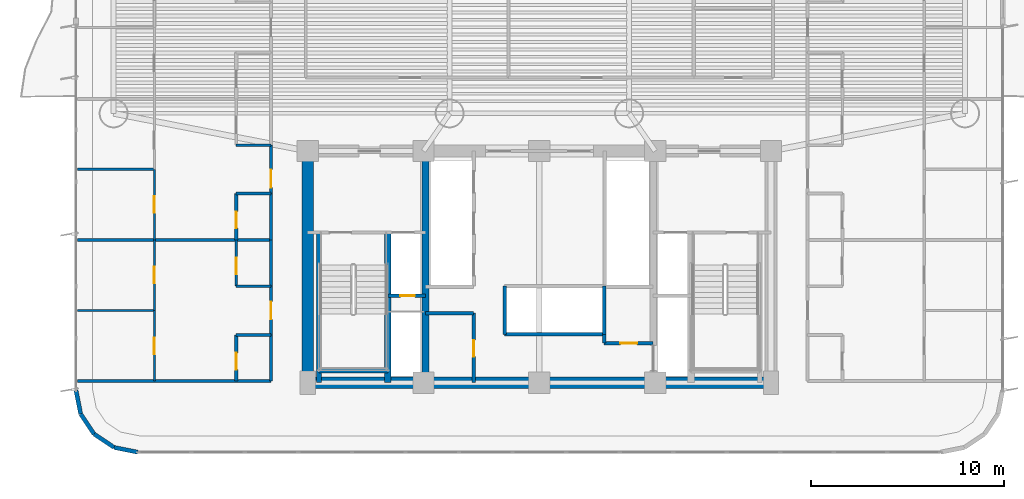
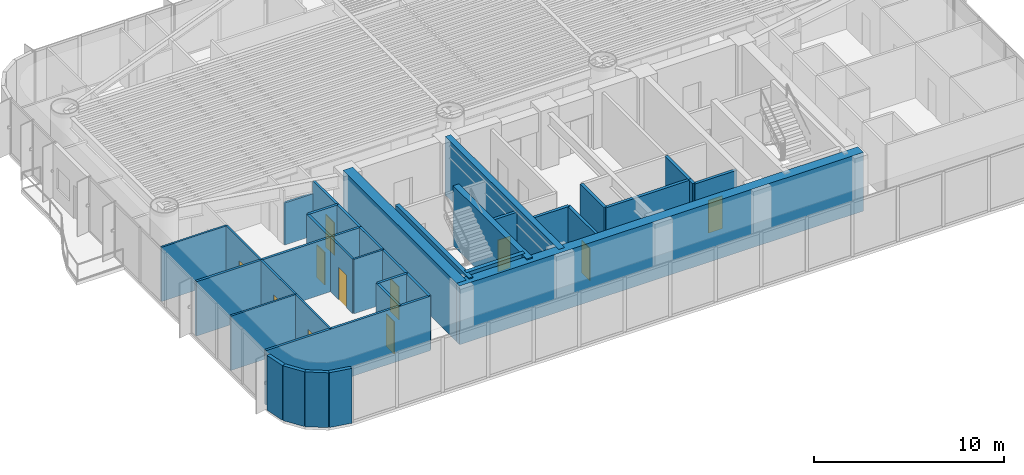
# One storey, part 10 of 19: 37 walls, 11 doors, 11 openings.
"""IFC4 building model written with IfcOpenShell, lengths in metres."""

from ifc_helpers import new_model, si_unit, direction, frame, frame_2d, origin, origin_2d, place, context, subcontext, project, spatial, rectangle, extrude, source, transform, mapped, material, layer, layer_set, type_object, element, fill, save


model = new_model("IFC4")

# Units and contexts
model_context = context("Model", 3, precision=1e-05, world=origin(), true_north=direction((0.0, 1.0)))
body_context = subcontext(model_context, "Body", "Model", "MODEL_VIEW")
ifc_project = project(units=[si_unit("LENGTHUNIT", "METRE"), si_unit("AREAUNIT", "SQUARE_METRE"), si_unit("VOLUMEUNIT", "CUBIC_METRE"), si_unit("PLANEANGLEUNIT", "RADIAN"), si_unit("MASSUNIT", "GRAM", prefix="KILO")], contexts=[model_context])

# Site, building, storey
site_placement = place(None, origin())
site = spatial("IfcSite", under=ifc_project, at=site_placement, CompositionType="ELEMENT")
building_placement = place(site_placement, origin())
building = spatial("IfcBuilding", under=site, at=building_placement, Name="Brelvock Crest Care Tower", CompositionType="ELEMENT")
storey_placement = place(building_placement, frame((0.0, 0.0, 34.56005859375)))
storey = spatial("IfcBuildingStorey", under=building, at=storey_placement, Name="L08", CompositionType="ELEMENT", Elevation=34.56005859375)

# Walls
ifc_material_1 = material(Name="Concrete S80 (80 MPa)", Category="concrete")
ifc_layer_1 = layer(ifc_material_1, 0.60009765625, Name="WL-CS1")
ifc_layer_set_1 = layer_set([ifc_layer_1], Name="Concrete S80 (80 MPa)")
wall_type_1 = type_object("IfcWallType", Name="WL-CS1", PredefinedType="SHEAR", material=ifc_layer_set_1)
wall_1_placement = place(storey_placement, frame((48.300048828125, 6.0, 0.0), z_axis=(0.0, 0.0, 1.0), x_axis=(-1.0, 0.0, 0.0)))
element("IfcWall", 1, at=wall_1_placement, inside=storey, type_object=wall_type_1, Name="L08 Core South Shear Wall", PredefinedType="SHEAR", context=body_context, shape_type="SweptSolid", body=[
    extrude(rectangle(XDim=24.60009765625, YDim=0.60009765625, at=frame_2d((12.300048828125, 0.0))), origin(), (0.0, 0.0, 1.0), 3.780029296875),
])
wall_2_placement = place(storey_placement, frame((24.0, 6.0, 0.0), z_axis=(0.0, 0.0, 1.0), x_axis=(0.0, 1.0, 0.0)))
element("IfcWall", 2, at=wall_2_placement, inside=storey, type_object=wall_type_1, Name="L08 Core West Shear Wall", PredefinedType="SHEAR", context=body_context, shape_type="SweptSolid", body=[
    extrude(rectangle(XDim=12.0, YDim=0.60009765625, at=frame_2d((6.0, 0.0))), origin(), (0.0, 0.0, 1.0), 3.780029296875),
])
ifc_layer_2 = layer(ifc_material_1, 0.35009765625, Name="WL-CS5")
ifc_layer_set_2 = layer_set([ifc_layer_2], Name="Concrete S80 (80 MPa)")
wall_type_2 = type_object("IfcWallType", Name="WL-CS5", PredefinedType="SHEAR", material=ifc_layer_set_2)
wall_3_placement = place(storey_placement, frame((30.10009765625, 6.0, 0.0), z_axis=(0.0, 0.0, 1.0), x_axis=(0.0, 1.0, 0.0)))
element("IfcWall", 3, at=wall_3_placement, inside=storey, type_object=wall_type_2, Name="L08 Core Internal Web Wall West", PredefinedType="SHEAR", context=body_context, shape_type="SweptSolid", body=[
    extrude(rectangle(XDim=12.0, YDim=0.35009765625, at=frame_2d((6.0, 0.0))), origin(), (0.0, 0.0, 1.0), 3.780029296875),
])
wall_4_placement = place(storey_placement, frame((28.14990234375, 6.0, 0.0), z_axis=(0.0, 0.0, 1.0), x_axis=(0.0, 1.0, 0.0)))
element("IfcWall", 4, at=wall_4_placement, inside=storey, type_object=wall_type_2, Name="L08 Core Stair ST-1 East Shear Wall", PredefinedType="SHEAR", context=body_context, shape_type="SweptSolid", body=[
    extrude(rectangle(XDim=7.780029296875, YDim=0.35009765625, at=frame_2d((3.89013671875, 0.0))), origin(), (0.0, 0.0, 1.0), 3.849853515625),
])
ifc_layer_3 = layer(ifc_material_1, 0.25, Name="WL-CS6")
ifc_layer_set_3 = layer_set([ifc_layer_3], Name="Concrete S80 (80 MPa)")
wall_type_3 = type_object("IfcWallType", Name="WL-CS6", PredefinedType="SHEAR", material=ifc_layer_set_3)
wall_5_placement = place(storey_placement, frame((24.580078125, 6.0, 0.0), z_axis=(0.0, 0.0, 1.0), x_axis=(0.0, 1.0, 0.0)))
element("IfcWall", 5, at=wall_5_placement, inside=storey, type_object=wall_type_3, Name="L08 Core Stair ST-1 West Shear Wall", PredefinedType="SHEAR", context=body_context, shape_type="SweptSolid", body=[
    extrude(rectangle(XDim=7.780029296875, YDim=0.25, at=frame_2d((3.89013671875, 0.0))), origin(), (0.0, 0.0, 1.0), 3.849853515625),
])
wall_6_placement = place(storey_placement, frame((24.580078125, 6.6201171875, 0.0), z_axis=(0.0, 0.0, 1.0), x_axis=(1.0, 0.0, 0.0)))
element("IfcWall", 6, at=wall_6_placement, inside=storey, type_object=wall_type_3, Name="L08 Core Stair ST-1 South Shear Wall", PredefinedType="SHEAR", context=body_context, shape_type="SweptSolid", body=[
    extrude(rectangle(XDim=3.56982421875, YDim=0.25, at=frame_2d((1.784912109375, 0.0))), origin(), (0.0, 0.0, 1.0), 3.849853515625),
])
ifc_material_2 = material(Name="Precast concrete N40 (40 MPa)", Category="concrete")
ifc_layer_4 = layer(ifc_material_2, 0.215087890625, Name="WL-EX2")
ifc_layer_set_4 = layer_set([ifc_layer_4], Name="Precast concrete N40 (40 MPa)")
wall_type_4 = type_object("IfcWallType", Name="WL-EX2", PredefinedType="SOLIDWALL", material=ifc_layer_set_4)
for number, where, z_axis, x_axis, name in (
    (7, (15.199951171875, 2.39990234375, 0.0), (0.0, 0.0, 1.0), (-0.980775717779, 0.195138390419, 0.0), "L08 Rounded Corner Wall 09"),
    (8, (13.975341796875, 2.6435546875, 0.0), (0.0, 0.0, 1.0), (-0.831387912822, 0.555692485475, 0.0), "L08 Rounded Corner Wall 10"),
    (9, (12.937255859375, 3.33740234375, 0.0), (0.0, 0.0, 1.0), (-0.555557312883, 0.831478245117, 0.0), "L08 Rounded Corner Wall 11"),
    (10, (12.24365234375, 4.37548828125, 0.0), (0.0, 0.0, 1.0), (-0.195138390419, 0.980775717779, 0.0), "L08 Rounded Corner Wall 12"),
):
    element("IfcWall", number, at=place(storey_placement, frame(where, z_axis=z_axis, x_axis=x_axis)), inside=storey, type_object=wall_type_4, Name=name, PredefinedType="SOLIDWALL", context=body_context, shape_type="SweptSolid", body=[
        extrude(rectangle(XDim=1.24853515625, YDim=0.215087890625, at=frame_2d((0.624267578125, 0.0))), origin(), (0.0, 0.0, 1.0), 3.530029296875),
    ])
ifc_material_3 = material(Name="Masonry Blockwork Acoustic Partition", Category="masonry")
ifc_layer_5 = layer(ifc_material_3, 0.14990234375, Name="WL-INT1")
ifc_layer_set_5 = layer_set([ifc_layer_5], Name="Masonry Blockwork Acoustic Partition")
wall_type_5 = type_object("IfcWallType", Name="WL-INT1", PredefinedType="PARTITIONING", material=ifc_layer_set_5)
for number, where, z_axis, x_axis, name in (
    (11, (12.080078125, 6.080078125, 0.0), (0.0, 0.0, 1.0), (1.0, 0.0, 0.0), "L08 Interior Wall WL-BX-L08-FL-WW1-S"),
    (12, (12.080078125, 13.39990234375, 0.0), (0.0, 0.0, 1.0), (1.0, 0.0, 0.0), "L08 Interior Wall WL-BX-L08-FL-WW1-N"),
):
    element("IfcWall", number, at=place(storey_placement, frame(where, z_axis=z_axis, x_axis=x_axis)), inside=storey, type_object=wall_type_5, Name=name, PredefinedType="PARTITIONING", context=body_context, shape_type="SweptSolid", body=[
        extrude(rectangle(XDim=10.02001953125, YDim=0.14990234375, at=frame_2d((5.010009765625, 0.0))), origin(), (0.0, 0.0, 1.0), 3.5),
    ])

# Wall, opening, door
wall_7_placement = place(storey_placement, frame((22.10009765625, 8.47998046875, 0.0), z_axis=(0.0, 0.0, 1.0), x_axis=(0.0, 1.0, 0.0)))
wall_7 = element("IfcWall", 13, at=wall_7_placement, inside=storey, type_object=wall_type_5, Name="L08 Interior Wall WL-UENT-L08-WW1", PredefinedType="PARTITIONING", context=body_context, shape_type="SweptSolid", body=[
    extrude(rectangle(XDim=2.52001953125, YDim=0.14990234375, at=frame_2d((1.260009765625, 0.0))), origin(), (0.0, 0.0, 1.0), 3.5),
])
opening_1_placement = place(wall_7_placement, frame((0.800048828125, 0.0, 0.0)))
opening_1 = element("IfcOpeningElement", 14, at=opening_1_placement, cuts=wall_7, Name="Opening AD-1", PredefinedType="OPENING", context=body_context, shape_type="SweptSolid", body=[
    extrude(rectangle(XDim=0.919921875, YDim=2.10009765625, at=origin_2d()), frame((0.4599609375, 0.0849609375, 1.050048828125), z_axis=(0.0, -1.0, 0.0), x_axis=(1.0, 0.0, 0.0)), (0.0, 0.0, 1.0), 0.169921875),
])
ifc_material_4 = material(Name="Engineered Hardwood Timber", Category="wood")
door_type_1 = type_object("IfcDoorType", Name="DR-APT1", OperationType="NOTDEFINED", PredefinedType="DOOR", material=ifc_material_4)
shared_shape_1 = source(origin(), body_context, "Body", "SweptSolid", [
    extrude(rectangle(XDim=0.919921875, YDim=2.10009765625, at=origin_2d()), frame((0.4599609375, 0.02490234375, 1.050048828125), z_axis=(0.0, -1.0, 0.0), x_axis=(1.0, 0.0, 0.0)), (0.0, 0.0, 1.0), 0.050048828125),
])
door_1_placement = place(opening_1_placement, origin())
door_1 = element("IfcDoor", 15, at=door_1_placement, inside=storey, type_object=door_type_1, Name="L08 Apartment Entrance WW1", OperationType="SINGLE_SWING_LEFT", OverallHeight=2.10009765625, OverallWidth=0.919921875, PredefinedType="DOOR", context=body_context, shape_type="MappedRepresentation", body=[
    mapped(shared_shape_1, transform((0.0, 0.0, 0.0), x_axis=(1.0, 0.0, 0.0), y_axis=(0.0, 1.0, 0.0), z_axis=(0.0, 0.0, 1.0), scale=1.0)),
])
fill(opening_1, door_1)

# Wall
wall_8_placement = place(storey_placement, frame((22.10009765625, 11.0, 0.0), z_axis=(0.0, 0.0, 1.0), x_axis=(0.0, 1.0, 0.0)))
element("IfcWall", 16, at=wall_8_placement, inside=storey, type_object=wall_type_5, Name="L08 Interior Wall WL-UCK-L08-WW1", PredefinedType="PARTITIONING", context=body_context, shape_type="SweptSolid", body=[
    extrude(rectangle(XDim=2.39990234375, YDim=0.14990234375, at=frame_2d((1.199951171875, 0.0))), origin(), (0.0, 0.0, 1.0), 3.5),
])

# Wall, opening, door
wall_9_placement = place(storey_placement, frame((22.10009765625, 15.800048828125, 0.0), z_axis=(0.0, 0.0, 1.0), x_axis=(0.0, 1.0, 0.0)))
wall_9 = element("IfcWall", 17, at=wall_9_placement, inside=storey, type_object=wall_type_5, Name="L08 Interior Wall WL-UENT-L08-WW2", PredefinedType="PARTITIONING", context=body_context, shape_type="SweptSolid", body=[
    extrude(rectangle(XDim=2.5, YDim=0.14990234375, at=frame_2d((1.25, 0.0))), origin(), (0.0, 0.0, 1.0), 3.5),
])
opening_2_placement = place(wall_9_placement, frame((0.31005859375, 0.0, 0.0)))
opening_2 = element("IfcOpeningElement", 18, at=opening_2_placement, cuts=wall_9, Name="Opening AD-1", PredefinedType="OPENING", context=body_context, shape_type="SweptSolid", body=[
    extrude(rectangle(XDim=0.919921875, YDim=2.10009765625, at=origin_2d()), frame((0.4599609375, 0.0849609375, 1.050048828125), z_axis=(0.0, -1.0, 0.0), x_axis=(1.0, 0.0, 0.0)), (0.0, 0.0, 1.0), 0.169921875),
])
door_2_placement = place(opening_2_placement, origin())
door_2 = element("IfcDoor", 19, at=door_2_placement, inside=storey, type_object=door_type_1, Name="L08 Apartment Entrance WW2", OperationType="SINGLE_SWING_LEFT", OverallHeight=2.10009765625, OverallWidth=0.919921875, PredefinedType="DOOR", context=body_context, shape_type="MappedRepresentation", body=[
    mapped(shared_shape_1, transform((0.0, 0.0, 0.0), x_axis=(1.0, 0.0, 0.0), y_axis=(0.0, 1.0, 0.0), z_axis=(0.0, 0.0, 1.0), scale=1.0)),
])
fill(opening_2, door_2)

# Walls
ifc_material_5 = material(Name="Gypsum Plasterboard Partition", Category="gypsum")
ifc_layer_6 = layer(ifc_material_5, 0.1201171875, Name="WL-INT2")
ifc_layer_set_6 = layer_set([ifc_layer_6], Name="Gypsum Plasterboard Partition")
wall_type_6 = type_object("IfcWallType", Name="WL-INT2", PredefinedType="PARTITIONING", material=ifc_layer_set_6)
wall_10_placement = place(storey_placement, frame((12.080078125, 9.739990234375, 0.0), z_axis=(0.0, 0.0, 1.0), x_axis=(1.0, 0.0, 0.0)))
element("IfcWall", 20, at=wall_10_placement, inside=storey, type_object=wall_type_6, Name="L08 Interior Wall WL-UBSP-L08-WW1", PredefinedType="PARTITIONING", context=body_context, shape_type="SweptSolid", body=[
    extrude(rectangle(XDim=3.98388671875, YDim=0.1201171875, at=frame_2d((1.991943359375, 0.0))), origin(), (0.0, 0.0, 1.0), 3.5),
])
wall_11_placement = place(storey_placement, frame((20.300048828125, 11.0, 0.0), z_axis=(0.0, 0.0, 1.0), x_axis=(1.0, 0.0, 0.0)))
element("IfcWall", 21, at=wall_11_placement, inside=storey, type_object=wall_type_6, Name="L08 Interior Wall WL-UKIT2-L08-WW1", PredefinedType="PARTITIONING", context=body_context, shape_type="SweptSolid", body=[
    extrude(rectangle(XDim=1.800048828125, YDim=0.1201171875, at=frame_2d((0.89990234375, 0.0))), origin(), (0.0, 0.0, 1.0), 3.5),
])
wall_12_placement = place(storey_placement, frame((12.080078125, 17.050048828125, 0.0), z_axis=(0.0, 0.0, 1.0), x_axis=(1.0, 0.0, 0.0)))
element("IfcWall", 22, at=wall_12_placement, inside=storey, type_object=wall_type_6, Name="L08 Interior Wall WL-UBSP-L08-WW2", PredefinedType="PARTITIONING", context=body_context, shape_type="SweptSolid", body=[
    extrude(rectangle(XDim=3.98388671875, YDim=0.1201171875, at=frame_2d((1.991943359375, 0.0))), origin(), (0.0, 0.0, 1.0), 3.5),
])
wall_13_placement = place(storey_placement, frame((20.300048828125, 18.300048828125, 0.0), z_axis=(0.0, 0.0, 1.0), x_axis=(1.0, 0.0, 0.0)))
element("IfcWall", 23, at=wall_13_placement, inside=storey, type_object=wall_type_6, Name="L08 Interior Wall WL-UKIT2-L08-WW2", PredefinedType="PARTITIONING", context=body_context, shape_type="SweptSolid", body=[
    extrude(rectangle(XDim=1.800048828125, YDim=0.1201171875, at=frame_2d((0.89990234375, 0.0))), origin(), (0.0, 0.0, 1.0), 2.71484375),
])

# Wall, opening, door
wall_14_placement = place(storey_placement, frame((16.06396484375, 6.080078125, 0.0), z_axis=(0.0, 0.0, 1.0), x_axis=(0.0, 1.0, 0.0)))
wall_14 = element("IfcWall", 24, at=wall_14_placement, inside=storey, type_object=wall_type_6, Name="L08 Interior Wall WL-UBD1-L08-WW1", PredefinedType="PARTITIONING", context=body_context, shape_type="SweptSolid", body=[
    extrude(rectangle(XDim=3.659912109375, YDim=0.1201171875, at=frame_2d((1.830078125, 0.0))), origin(), (0.0, 0.0, 1.0), 3.5),
])
opening_3_placement = place(wall_14_placement, frame((1.39990234375, 0.0, 0.0)))
opening_3 = element("IfcOpeningElement", 25, at=opening_3_placement, cuts=wall_14, Name="Opening ID-1", PredefinedType="OPENING", context=body_context, shape_type="SweptSolid", body=[
    extrude(rectangle(XDim=0.860107421875, YDim=2.10009765625, at=origin_2d()), frame((0.43017578125, 0.070068359375, 1.050048828125), z_axis=(0.0, -1.0, 0.0), x_axis=(1.0, 0.0, 0.0)), (0.0, 0.0, 1.0), 0.14013671875),
])
door_type_2 = type_object("IfcDoorType", Name="DR-INT1", OperationType="NOTDEFINED", PredefinedType="DOOR", material=ifc_material_4)
shared_shape_2 = source(origin(), body_context, "Body", "SweptSolid", [
    extrude(rectangle(XDim=0.860107421875, YDim=2.10009765625, at=origin_2d()), frame((0.43017578125, 0.02490234375, 1.050048828125), z_axis=(0.0, -1.0, 0.0), x_axis=(1.0, 0.0, 0.0)), (0.0, 0.0, 1.0), 0.050048828125),
])
door_3_placement = place(opening_3_placement, origin())
door_3 = element("IfcDoor", 26, at=door_3_placement, inside=storey, type_object=door_type_2, Name="L08 Primary Bedroom Door WW1", OperationType="SINGLE_SWING_RIGHT", OverallHeight=2.10009765625, OverallWidth=0.860107421875, PredefinedType="DOOR", context=body_context, shape_type="MappedRepresentation", body=[
    mapped(shared_shape_2, transform((0.0, 0.0, 0.0), x_axis=(1.0, 0.0, 0.0), y_axis=(0.0, 1.0, 0.0), z_axis=(0.0, 0.0, 1.0), scale=1.0)),
])
fill(opening_3, door_3)

wall_15_placement = place(storey_placement, frame((16.06396484375, 9.739990234375, 0.0), z_axis=(0.0, 0.0, 1.0), x_axis=(0.0, 1.0, 0.0)))
wall_15 = element("IfcWall", 27, at=wall_15_placement, inside=storey, type_object=wall_type_6, Name="L08 Interior Wall WL-UBD2-L08-WW1", PredefinedType="PARTITIONING", context=body_context, shape_type="SweptSolid", body=[
    extrude(rectangle(XDim=3.659912109375, YDim=0.1201171875, at=frame_2d((1.830078125, 0.0))), origin(), (0.0, 0.0, 1.0), 3.5),
])
opening_4_placement = place(wall_15_placement, frame((1.39990234375, 0.0, 0.0)))
opening_4 = element("IfcOpeningElement", 28, at=opening_4_placement, cuts=wall_15, Name="Opening ID-1", PredefinedType="OPENING", context=body_context, shape_type="SweptSolid", body=[
    extrude(rectangle(XDim=0.860107421875, YDim=2.10009765625, at=origin_2d()), frame((0.43017578125, 0.070068359375, 1.050048828125), z_axis=(0.0, -1.0, 0.0), x_axis=(1.0, 0.0, 0.0)), (0.0, 0.0, 1.0), 0.14013671875),
])
door_4_placement = place(opening_4_placement, origin())
door_4 = element("IfcDoor", 29, at=door_4_placement, inside=storey, type_object=door_type_2, Name="L08 Second Room Door WW1", OperationType="SINGLE_SWING_LEFT", OverallHeight=2.10009765625, OverallWidth=0.860107421875, PredefinedType="DOOR", context=body_context, shape_type="MappedRepresentation", body=[
    mapped(shared_shape_2, transform((0.0, 0.0, 0.0), x_axis=(1.0, 0.0, 0.0), y_axis=(0.0, 1.0, 0.0), z_axis=(0.0, 0.0, 1.0), scale=1.0)),
])
fill(opening_4, door_4)

wall_16_placement = place(storey_placement, frame((16.06396484375, 13.39990234375, 0.0), z_axis=(0.0, 0.0, 1.0), x_axis=(0.0, 1.0, 0.0)))
wall_16 = element("IfcWall", 30, at=wall_16_placement, inside=storey, type_object=wall_type_6, Name="L08 Interior Wall WL-UBD1-L08-WW2", PredefinedType="PARTITIONING", context=body_context, shape_type="SweptSolid", body=[
    extrude(rectangle(XDim=3.650146484375, YDim=0.1201171875, at=frame_2d((1.8251953125, 0.0))), origin(), (0.0, 0.0, 1.0), 3.5),
])
opening_5_placement = place(wall_16_placement, frame((1.39501953125, 0.0, 0.0)))
opening_5 = element("IfcOpeningElement", 31, at=opening_5_placement, cuts=wall_16, Name="Opening ID-1", PredefinedType="OPENING", context=body_context, shape_type="SweptSolid", body=[
    extrude(rectangle(XDim=0.860107421875, YDim=2.10009765625, at=origin_2d()), frame((0.43017578125, 0.070068359375, 1.050048828125), z_axis=(0.0, -1.0, 0.0), x_axis=(1.0, 0.0, 0.0)), (0.0, 0.0, 1.0), 0.14013671875),
])
door_5_placement = place(opening_5_placement, origin())
door_5 = element("IfcDoor", 32, at=door_5_placement, inside=storey, type_object=door_type_2, Name="L08 Primary Bedroom Door WW2", OperationType="SINGLE_SWING_RIGHT", OverallHeight=2.10009765625, OverallWidth=0.860107421875, PredefinedType="DOOR", context=body_context, shape_type="MappedRepresentation", body=[
    mapped(shared_shape_2, transform((0.0, 0.0, 0.0), x_axis=(1.0, 0.0, 0.0), y_axis=(0.0, 1.0, 0.0), z_axis=(0.0, 0.0, 1.0), scale=1.0)),
])
fill(opening_5, door_5)

wall_17_placement = place(storey_placement, frame((20.300048828125, 11.0, 0.0), z_axis=(0.0, 0.0, 1.0), x_axis=(0.0, 1.0, 0.0)))
wall_17 = element("IfcWall", 33, at=wall_17_placement, inside=storey, type_object=wall_type_6, Name="L08 Interior Wall WL-UKIT1-L08-WW1", PredefinedType="PARTITIONING", context=body_context, shape_type="SweptSolid", body=[
    extrude(rectangle(XDim=2.39990234375, YDim=0.1201171875, at=frame_2d((1.199951171875, 0.0))), origin(), (0.0, 0.0, 1.0), 3.5),
])
opening_6_placement = place(wall_17_placement, frame((0.6201171875, 0.0, 0.0)))
opening_6 = element("IfcOpeningElement", 34, at=opening_6_placement, cuts=wall_17, Name="Opening ID-1", PredefinedType="OPENING", context=body_context, shape_type="SweptSolid", body=[
    extrude(rectangle(XDim=0.860107421875, YDim=2.10009765625, at=origin_2d()), frame((0.43017578125, 0.070068359375, 1.050048828125), z_axis=(0.0, -1.0, 0.0), x_axis=(1.0, 0.0, 0.0)), (0.0, 0.0, 1.0), 0.14013671875),
])
door_6_placement = place(opening_6_placement, origin())
door_6 = element("IfcDoor", 35, at=door_6_placement, inside=storey, type_object=door_type_2, Name="L08 Kitchen Door WW1", OperationType="SINGLE_SWING_LEFT", OverallHeight=2.10009765625, OverallWidth=0.860107421875, PredefinedType="DOOR", context=body_context, shape_type="MappedRepresentation", body=[
    mapped(shared_shape_2, transform((0.0, 0.0, 0.0), x_axis=(1.0, 0.0, 0.0), y_axis=(0.0, 1.0, 0.0), z_axis=(0.0, 0.0, 1.0), scale=1.0)),
])
fill(opening_6, door_6)

# Walls
ifc_layer_7 = layer(ifc_material_5, 0.159912109375, Name="WL-PLM1")
ifc_layer_set_7 = layer_set([ifc_layer_7], Name="Gypsum Plasterboard Partition")
wall_type_7 = type_object("IfcWallType", Name="WL-PLM1", PredefinedType="PLUMBINGWALL", material=ifc_layer_set_7)
for number, where, z_axis, x_axis, name in (
    (36, (20.300048828125, 8.47998046875, 0.0), (0.0, 0.0, 1.0), (1.0, 0.0, 0.0), "L08 Interior Wall WL-UBTH2-L08-WW1"),
    (37, (20.300048828125, 15.800048828125, 0.0), (0.0, 0.0, 1.0), (1.0, 0.0, 0.0), "L08 Interior Wall WL-UBTH2-L08-WW2"),
):
    element("IfcWall", number, at=place(storey_placement, frame(where, z_axis=z_axis, x_axis=x_axis)), inside=storey, type_object=wall_type_7, Name=name, PredefinedType="PLUMBINGWALL", context=body_context, shape_type="SweptSolid", body=[
        extrude(rectangle(XDim=1.800048828125, YDim=0.159912109375, at=frame_2d((0.89990234375, 0.0))), origin(), (0.0, 0.0, 1.0), 3.5),
    ])

# Wall, opening, door
wall_18_placement = place(storey_placement, frame((20.300048828125, 6.080078125, 0.0), z_axis=(0.0, 0.0, 1.0), x_axis=(0.0, 1.0, 0.0)))
wall_18 = element("IfcWall", 38, at=wall_18_placement, inside=storey, type_object=wall_type_7, Name="L08 Interior Wall WL-UBTH1-L08-WW1", PredefinedType="PLUMBINGWALL", context=body_context, shape_type="SweptSolid", body=[
    extrude(rectangle(XDim=2.39990234375, YDim=0.159912109375, at=frame_2d((1.199951171875, 0.0))), origin(), (0.0, 0.0, 1.0), 3.5),
])
opening_7_placement = place(wall_18_placement, frame((0.60009765625, 0.0, 0.0)))
opening_7 = element("IfcOpeningElement", 39, at=opening_7_placement, cuts=wall_18, Name="Opening WD-1", PredefinedType="OPENING", context=body_context, shape_type="SweptSolid", body=[
    extrude(rectangle(XDim=0.860107421875, YDim=2.10009765625, at=origin_2d()), frame((0.43017578125, 0.08984375, 1.050048828125), z_axis=(0.0, -1.0, 0.0), x_axis=(1.0, 0.0, 0.0)), (0.0, 0.0, 1.0), 0.179931640625),
])
door_type_3 = type_object("IfcDoorType", Name="DR-WC1", OperationType="NOTDEFINED", PredefinedType="DOOR", material=ifc_material_4)
shared_shape_3 = source(origin(), body_context, "Body", "SweptSolid", [
    extrude(rectangle(XDim=0.860107421875, YDim=2.10009765625, at=origin_2d()), frame((0.43017578125, 0.02490234375, 1.050048828125), z_axis=(0.0, -1.0, 0.0), x_axis=(1.0, 0.0, 0.0)), (0.0, 0.0, 1.0), 0.050048828125),
])
door_7_placement = place(opening_7_placement, origin())
door_7 = element("IfcDoor", 40, at=door_7_placement, inside=storey, type_object=door_type_3, Name="L08 Bathroom Door WW1", OperationType="SINGLE_SWING_LEFT", OverallHeight=2.10009765625, OverallWidth=0.860107421875, PredefinedType="DOOR", context=body_context, shape_type="MappedRepresentation", body=[
    mapped(shared_shape_3, transform((0.0, 0.0, 0.0), x_axis=(1.0, 0.0, 0.0), y_axis=(0.0, 1.0, 0.0), z_axis=(0.0, 0.0, 1.0), scale=1.0)),
])
fill(opening_7, door_7)

wall_19_placement = place(storey_placement, frame((20.300048828125, 13.39990234375, 0.0), z_axis=(0.0, 0.0, 1.0), x_axis=(0.0, 1.0, 0.0)))
wall_19 = element("IfcWall", 41, at=wall_19_placement, inside=storey, type_object=wall_type_7, Name="L08 Interior Wall WL-UBTH1-L08-WW2", PredefinedType="PLUMBINGWALL", context=body_context, shape_type="SweptSolid", body=[
    extrude(rectangle(XDim=2.400146484375, YDim=0.159912109375, at=frame_2d((1.2001953125, 0.0))), origin(), (0.0, 0.0, 1.0), 3.5),
])
opening_8_placement = place(wall_19_placement, frame((0.60009765625, 0.0, 0.0)))
opening_8 = element("IfcOpeningElement", 42, at=opening_8_placement, cuts=wall_19, Name="Opening WD-1", PredefinedType="OPENING", context=body_context, shape_type="SweptSolid", body=[
    extrude(rectangle(XDim=0.860107421875, YDim=2.10009765625, at=origin_2d()), frame((0.43017578125, 0.08984375, 1.050048828125), z_axis=(0.0, -1.0, 0.0), x_axis=(1.0, 0.0, 0.0)), (0.0, 0.0, 1.0), 0.179931640625),
])
door_8_placement = place(opening_8_placement, origin())
door_8 = element("IfcDoor", 43, at=door_8_placement, inside=storey, type_object=door_type_3, Name="L08 Bathroom Door WW2", OperationType="SINGLE_SWING_LEFT", OverallHeight=2.10009765625, OverallWidth=0.860107421875, PredefinedType="DOOR", context=body_context, shape_type="MappedRepresentation", body=[
    mapped(shared_shape_3, transform((0.0, 0.0, 0.0), x_axis=(1.0, 0.0, 0.0), y_axis=(0.0, 1.0, 0.0), z_axis=(0.0, 0.0, 1.0), scale=1.0)),
])
fill(opening_8, door_8)

# Walls
wall_20_placement = place(storey_placement, frame((22.10009765625, 6.080078125, 0.0), z_axis=(0.0, 0.0, 1.0), x_axis=(0.0, 1.0, 0.0)))
element("IfcWall", 44, at=wall_20_placement, inside=storey, type_object=wall_type_7, Name="L08 Interior Wall WL-UCB-L08-WW1", PredefinedType="PLUMBINGWALL", context=body_context, shape_type="SweptSolid", body=[
    extrude(rectangle(XDim=2.39990234375, YDim=0.159912109375, at=frame_2d((1.199951171875, 0.0))), origin(), (0.0, 0.0, 1.0), 3.5),
])
wall_21_placement = place(storey_placement, frame((22.10009765625, 13.39990234375, 0.0), z_axis=(0.0, 0.0, 1.0), x_axis=(0.0, 1.0, 0.0)))
element("IfcWall", 45, at=wall_21_placement, inside=storey, type_object=wall_type_7, Name="L08 Interior Wall WL-UCB-L08-WW2", PredefinedType="PLUMBINGWALL", context=body_context, shape_type="SweptSolid", body=[
    extrude(rectangle(XDim=2.400146484375, YDim=0.159912109375, at=frame_2d((1.2001953125, 0.0))), origin(), (0.0, 0.0, 1.0), 3.5),
])
ifc_layer_8 = layer(ifc_material_3, 0.179931640625, Name="WL-SHF1")
ifc_layer_set_8 = layer_set([ifc_layer_8], Name="Masonry Blockwork Acoustic Partition")
wall_type_8 = type_object("IfcWallType", Name="WL-SHF1", PredefinedType="PARTITIONING", material=ifc_layer_set_8)
wall_22_placement = place(storey_placement, frame((34.199951171875, 8.5, 0.0), z_axis=(0.0, 0.0, 1.0), x_axis=(1.0, 0.0, 0.0)))
element("IfcWall", 46, at=wall_22_placement, inside=storey, type_object=wall_type_8, Name="L08 Interior Wall WL-PLM-S-L08", PredefinedType="PARTITIONING", context=body_context, shape_type="SweptSolid", body=[
    extrude(rectangle(XDim=5.150146484375, YDim=0.179931640625, at=frame_2d((2.5751953125, 0.0))), origin(), (0.0, 0.0, 1.0), 3.5),
])
for number, where, z_axis, x_axis, name in (
    (47, (34.199951171875, 8.5, 0.0), (0.0, 0.0, 1.0), (0.0, 1.0, 0.0), "L08 Interior Wall WL-PLM-W-L08"),
    (48, (39.35009765625, 8.5, 0.0), (0.0, 0.0, 1.0), (0.0, 1.0, 0.0), "L08 Interior Wall WL-PLM-E-L08"),
    (49, (30.10009765625, 9.60009765625, 0.0), (0.0, 0.0, 1.0), (1.0, 0.0, 0.0), "L08 Interior Wall WL-CSBW-S1-L08"),
):
    element("IfcWall", number, at=place(storey_placement, frame(where, z_axis=z_axis, x_axis=x_axis)), inside=storey, type_object=wall_type_8, Name=name, PredefinedType="PARTITIONING", context=body_context, shape_type="SweptSolid", body=[
        extrude(rectangle(XDim=2.5, YDim=0.179931640625, at=frame_2d((1.25, 0.0))), origin(), (0.0, 0.0, 1.0), 3.5),
    ])

# Wall, opening, door
wall_23_placement = place(storey_placement, frame((32.60009765625, 6.0, 0.0), z_axis=(0.0, 0.0, 1.0), x_axis=(0.0, 1.0, 0.0)))
wall_23 = element("IfcWall", 50, at=wall_23_placement, inside=storey, type_object=wall_type_8, Name="L08 Interior Wall WL-CSBW-E-L08", PredefinedType="PARTITIONING", context=body_context, shape_type="SweptSolid", body=[
    extrude(rectangle(XDim=3.60009765625, YDim=0.179931640625, at=frame_2d((1.800048828125, 0.0))), origin(), (0.0, 0.0, 1.0), 3.5),
])
opening_9_placement = place(wall_23_placement, frame((1.35009765625, 0.0, 0.0)))
opening_9 = element("IfcOpeningElement", 51, at=opening_9_placement, cuts=wall_23, Name="Opening ID-1", PredefinedType="OPENING", context=body_context, shape_type="SweptSolid", body=[
    extrude(rectangle(XDim=0.860107421875, YDim=2.10009765625, at=origin_2d()), frame((0.43017578125, 0.10009765625, 1.050048828125), z_axis=(0.0, -1.0, 0.0), x_axis=(1.0, 0.0, 0.0)), (0.0, 0.0, 1.0), 0.199951171875),
])
door_9_placement = place(opening_9_placement, origin())
door_9 = element("IfcDoor", 52, at=door_9_placement, inside=storey, type_object=door_type_2, Name="DR-CSBW-L08", OperationType="SINGLE_SWING_LEFT", OverallHeight=2.10009765625, OverallWidth=0.860107421875, PredefinedType="DOOR", context=body_context, shape_type="MappedRepresentation", body=[
    mapped(shared_shape_2, transform((0.0, 0.0, 0.0), x_axis=(1.0, 0.0, 0.0), y_axis=(0.0, 1.0, 0.0), z_axis=(0.0, 0.0, 1.0), scale=1.0)),
])
fill(opening_9, door_9)

# Wall
wall_24_placement = place(storey_placement, frame((39.35009765625, 8.050048828125, 0.0), z_axis=(0.0, 0.0, 1.0), x_axis=(0.0, 1.0, 0.0)))
element("IfcWall", 53, at=wall_24_placement, inside=storey, type_object=wall_type_8, Name="L08 Interior Wall WL-CSBE-W-L08", PredefinedType="PARTITIONING", context=body_context, shape_type="SweptSolid", body=[
    extrude(rectangle(XDim=0.449951171875, YDim=0.179931640625, at=frame_2d((0.22509765625, 0.0))), origin(), (0.0, 0.0, 1.0), 3.5),
])

# Wall, opening, door
wall_25_placement = place(storey_placement, frame((39.35009765625, 8.050048828125, 0.0), z_axis=(0.0, 0.0, 1.0), x_axis=(1.0, 0.0, 0.0)))
wall_25 = element("IfcWall", 54, at=wall_25_placement, inside=storey, type_object=wall_type_8, Name="L08 Interior Wall WL-CSBE-S-L08", PredefinedType="PARTITIONING", context=body_context, shape_type="SweptSolid", body=[
    extrude(rectangle(XDim=2.5498046875, YDim=0.179931640625, at=frame_2d((1.27490234375, 0.0))), origin(), (0.0, 0.0, 1.0), 3.5),
])
opening_10_placement = place(wall_25_placement, frame((0.85009765625, 0.0, 0.0)))
opening_10 = element("IfcOpeningElement", 55, at=opening_10_placement, cuts=wall_25, Name="Opening ID-1", PredefinedType="OPENING", context=body_context, shape_type="SweptSolid", body=[
    extrude(rectangle(XDim=0.860107421875, YDim=2.10009765625, at=origin_2d()), frame((0.43017578125, 0.10009765625, 1.050048828125), z_axis=(0.0, -1.0, 0.0), x_axis=(1.0, 0.0, 0.0)), (0.0, 0.0, 1.0), 0.199951171875),
])
door_10_placement = place(opening_10_placement, origin())
door_10 = element("IfcDoor", 56, at=door_10_placement, inside=storey, type_object=door_type_2, Name="DR-CSBE-L08", OperationType="SINGLE_SWING_LEFT", OverallHeight=2.10009765625, OverallWidth=0.860107421875, PredefinedType="DOOR", context=body_context, shape_type="MappedRepresentation", body=[
    mapped(shared_shape_2, transform((0.0, 0.0, 0.0), x_axis=(1.0, 0.0, 0.0), y_axis=(0.0, 1.0, 0.0), z_axis=(0.0, 0.0, 1.0), scale=1.0)),
])
fill(opening_10, door_10)

wall_26_placement = place(storey_placement, frame((28.14990234375, 10.5, 0.0), z_axis=(0.0, 0.0, 1.0), x_axis=(1.0, 0.0, 0.0)))
wall_26 = element("IfcWall", 57, at=wall_26_placement, inside=storey, type_object=wall_type_8, Name="L08 Interior Wall WL-FFH1-S-L08", PredefinedType="PARTITIONING", context=body_context, shape_type="SweptSolid", body=[
    extrude(rectangle(XDim=1.9501953125, YDim=0.179931640625, at=frame_2d((0.97509765625, 0.0))), origin(), (0.0, 0.0, 1.0), 3.5),
])
opening_11_placement = place(wall_26_placement, frame((0.64990234375, 0.0, 0.0)))
opening_11 = element("IfcOpeningElement", 58, at=opening_11_placement, cuts=wall_26, Name="Opening RD-1", PredefinedType="OPENING", context=body_context, shape_type="SweptSolid", body=[
    extrude(rectangle(XDim=0.760009765625, YDim=2.050048828125, at=origin_2d()), frame((0.3798828125, 0.10009765625, 1.02490234375), z_axis=(0.0, -1.0, 0.0), x_axis=(1.0, 0.0, 0.0)), (0.0, 0.0, 1.0), 0.199951171875),
])
ifc_material_6 = material(Name="Steel Grade 350", Category="steel")
door_type_4 = type_object("IfcDoorType", Name="DR-RIS1", OperationType="NOTDEFINED", PredefinedType="DOOR", material=ifc_material_6)
shared_shape_4 = source(origin(), body_context, "Body", "SweptSolid", [
    extrude(rectangle(XDim=0.760009765625, YDim=2.050048828125, at=origin_2d()), frame((0.3798828125, 0.02490234375, 1.02490234375), z_axis=(0.0, -1.0, 0.0), x_axis=(1.0, 0.0, 0.0)), (0.0, 0.0, 1.0), 0.050048828125),
])
door_11_placement = place(opening_11_placement, origin())
door_11 = element("IfcDoor", 59, at=door_11_placement, inside=storey, type_object=door_type_4, Name="L08 Wet Fire Riser Access Door", OperationType="SINGLE_SWING_LEFT", OverallHeight=2.050048828125, OverallWidth=0.760009765625, PredefinedType="DOOR", context=body_context, shape_type="MappedRepresentation", body=[
    mapped(shared_shape_4, transform((0.0, 0.0, 0.0), x_axis=(1.0, 0.0, 0.0), y_axis=(0.0, 1.0, 0.0), z_axis=(0.0, 0.0, 1.0), scale=1.0)),
])
fill(opening_11, door_11)

save(model, "model.ifc")
